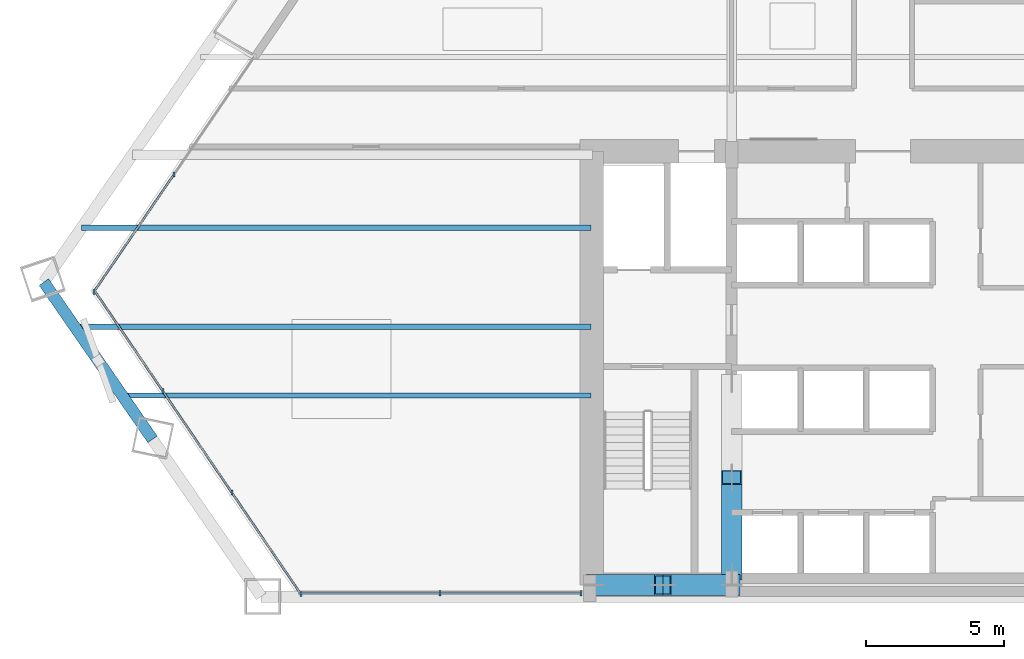
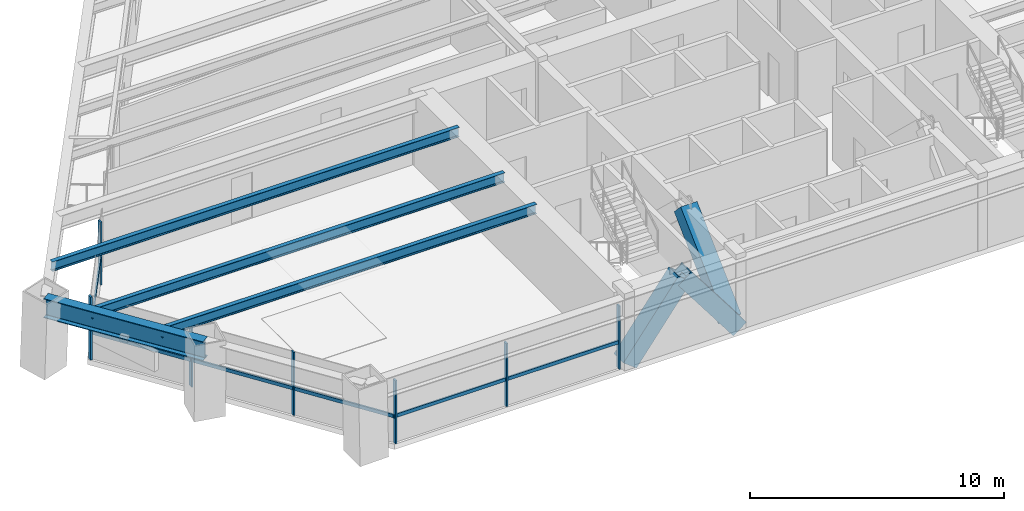
# One storey, part 2 of 14: 16 members, 4 beams, 3 elements without a shape of their own.
"""IFC4 building model written with IfcOpenShell, lengths in metres."""

from ifc_helpers import new_model, si_unit, direction, frame, origin, origin_2d, place, context, subcontext, project, spatial, rectangle, hollow_rectangle, i_section, extrude, source, transform, mapped, material, material_profile, profile_set, type_object, type_shapes, element, aggregate, save


model = new_model("IFC4")

# Units and contexts
model_context = context("Model", 3, precision=1e-05, world=origin(), true_north=direction((0.0, 1.0)))
body_context = subcontext(model_context, "Body", "Model", "MODEL_VIEW")
ifc_project = project(units=[si_unit("LENGTHUNIT", "METRE"), si_unit("AREAUNIT", "SQUARE_METRE"), si_unit("VOLUMEUNIT", "CUBIC_METRE"), si_unit("PLANEANGLEUNIT", "RADIAN"), si_unit("MASSUNIT", "GRAM", prefix="KILO")], contexts=[model_context])

# Site, building, storey
site_placement = place(None, origin())
site = spatial("IfcSite", under=ifc_project, at=site_placement, CompositionType="ELEMENT")
building_placement = place(site_placement, origin())
building = spatial("IfcBuilding", under=site, at=building_placement, Name="Varnakhor Terracotta Tower", CompositionType="ELEMENT")
storey_placement = place(building_placement, frame((0.0, 0.0, 31.199951171875)))
storey = spatial("IfcBuildingStorey", under=building, at=storey_placement, Name="L06", CompositionType="ELEMENT", Elevation=31.199951171875)

# Members
ifc_material_1 = material(Name="Steel S460", Category="steel")
ifc_material_profile_1 = material_profile(ifc_material_1, hollow_rectangle(XDim=0.75, YDim=0.75, WallThickness=0.044921875, at=origin_2d()), Name="HSS750X750X45")
ifc_profile_set_1 = profile_set([ifc_material_profile_1], Name="Steel S460")
member_type_1 = type_object("IfcMemberType", Name="MBR-MEGA-750", PredefinedType="BRACE", material=ifc_profile_set_1)
shared_shape_1 = source(origin(), body_context, "Body", "SweptSolid", [
    extrude(hollow_rectangle(XDim=0.75, YDim=0.75, WallThickness=0.044921875, at=origin_2d()), origin(), (0.0, 0.0, 1.0), 4.14013671875),
])
type_shapes(member_type_1, [shared_shape_1])
for number, where, z_axis, x_axis, name in (
    (1, (-10.5, 0.419921875, 0.0), (0.603852011179, 0.0, 0.797096448741), (0.0, 1.0, 0.0), "L06 Core Coupled Brace CSWA"),
    (2, (-5.5, 0.419921875, 0.0), (-0.603852011179, 0.0, 0.797096448741), (0.0, -1.0, 0.0), "L06 Core Coupled Brace CSWB"),
):
    element("IfcMember", number, at=place(storey_placement, frame(where, z_axis=z_axis, x_axis=x_axis)), inside=storey, type_object=member_type_1, Name=name, PredefinedType="BRACE", context=body_context, shape_type="MappedRepresentation", body=[
        mapped(shared_shape_1, transform((0.0, 0.0, 0.0), scale=1.0)),
    ])
shared_shape_2 = source(origin(), body_context, "Body", "SweptSolid", [
    extrude(hollow_rectangle(XDim=0.75, YDim=0.75, WallThickness=0.044921875, at=origin_2d()), origin(), (0.0, 0.0, 1.0), 4.792236328125),
])
member_1_placement = place(storey_placement, frame((-5.5, 0.85009765625, 0.0), z_axis=(0.0, 0.725110085518, 0.688632967466), x_axis=(-1.0, 0.0, 0.0)))
element("IfcMember", 3, at=member_1_placement, inside=storey, type_object=member_type_1, Name="L06 Core Coupled Brace CWWA", PredefinedType="BRACE", context=body_context, shape_type="MappedRepresentation", body=[
    mapped(shared_shape_2, transform((0.0, 0.0, 0.0), scale=1.0)),
])

# Beams
ifc_material_2 = material(Name="Steel S355", Category="steel")
ifc_material_profile_2 = material_profile(ifc_material_2, i_section(OverallWidth=0.41796875, OverallDepth=0.927001953125, WebThickness=0.01904296875, FlangeThickness=0.031982421875, FilletRadius=0.01806640625, at=origin_2d()), Name="W36X231")
ifc_profile_set_2 = profile_set([ifc_material_profile_2], Name="Steel S355")
beam_type_1 = type_object("IfcBeamType", Name="BM-W36X231", PredefinedType="BEAM", material=ifc_profile_set_2)
shared_shape_3 = source(origin(), body_context, "Body", "SweptSolid", [
    extrude(i_section(OverallWidth=0.41796875, OverallDepth=0.927001953125, WebThickness=0.01904296875, FlangeThickness=0.031982421875, FilletRadius=0.01806640625, at=origin_2d()), origin(), (0.0, 0.0, 1.0), 6.942626953125),
])
beam_1_placement = place(storey_placement, frame((-30.485595703125, 11.42236328125, 2.986572265625), z_axis=(0.568588093197, -0.82262238012, 0.0), x_axis=(0.82262238012, 0.568588093197, 0.0)))
element("IfcBeam", 4, at=beam_1_placement, inside=storey, type_object=beam_type_1, Name="L06 Perimeter Spandrel 7", PredefinedType="BEAM", context=body_context, shape_type="MappedRepresentation", body=[
    mapped(shared_shape_3, transform((0.0, 0.0, 0.0), scale=1.0)),
])
ifc_material_profile_3 = material_profile(ifc_material_2, i_section(OverallWidth=0.19189453125, OverallDepth=0.462890625, WebThickness=0.010498046875, FlangeThickness=0.017578125, FilletRadius=0.01806640625, at=origin_2d()), Name="W18X60")
ifc_profile_set_3 = profile_set([ifc_material_profile_3], Name="Steel S355")
beam_type_2 = type_object("IfcBeamType", Name="JST-W18X60", PredefinedType="JOIST", material=ifc_profile_set_3)
shared_shape_4 = source(origin(), body_context, "Body", "SweptSolid", [
    extrude(i_section(OverallWidth=0.19189453125, OverallDepth=0.462890625, WebThickness=0.010498046875, FlangeThickness=0.017578125, FilletRadius=0.01806640625, at=origin_2d()), origin(), (0.0, 0.0, 1.0), 17.0361328125),
])
beam_2_placement = place(storey_placement, frame((-27.63623046875, 7.300048828125, 3.218505859375), z_axis=(1.0, 0.0, 0.0), x_axis=(0.0, 1.0, 0.0)))
element("IfcBeam", 5, at=beam_2_placement, inside=storey, type_object=beam_type_2, Name="L06 Floor Joist W1", PredefinedType="JOIST", context=body_context, shape_type="MappedRepresentation", body=[
    mapped(shared_shape_4, transform((0.0, 0.0, 0.0), scale=1.0)),
])
shared_shape_5 = source(origin(), body_context, "Body", "SweptSolid", [
    extrude(i_section(OverallWidth=0.19189453125, OverallDepth=0.462890625, WebThickness=0.010498046875, FlangeThickness=0.017578125, FilletRadius=0.01806640625, at=origin_2d()), origin(), (0.0, 0.0, 1.0), 18.76416015625),
])
beam_3_placement = place(storey_placement, frame((-29.3642578125, 9.800048828125, 3.218505859375), z_axis=(1.0, 0.0, 0.0), x_axis=(0.0, 1.0, 0.0)))
element("IfcBeam", 6, at=beam_3_placement, inside=storey, type_object=beam_type_2, Name="L06 Floor Joist W2", PredefinedType="JOIST", context=body_context, shape_type="MappedRepresentation", body=[
    mapped(shared_shape_5, transform((0.0, 0.0, 0.0), scale=1.0)),
])
shared_shape_6 = source(origin(), body_context, "Body", "SweptSolid", [
    extrude(i_section(OverallWidth=0.19189453125, OverallDepth=0.462890625, WebThickness=0.010498046875, FlangeThickness=0.017578125, FilletRadius=0.01806640625, at=origin_2d()), origin(), (0.0, 0.0, 1.0), 18.5107421875),
])
beam_4_placement = place(storey_placement, frame((-29.11083984375, 13.39990234375, 3.218505859375), z_axis=(1.0, 0.0, 0.0), x_axis=(0.0, 1.0, 0.0)))
element("IfcBeam", 7, at=beam_4_placement, inside=storey, type_object=beam_type_2, Name="L06 Floor Joist W3", PredefinedType="JOIST", context=body_context, shape_type="MappedRepresentation", body=[
    mapped(shared_shape_6, transform((0.0, 0.0, 0.0), scale=1.0)),
])

# Curtain wall, members
ifc_material_3 = material(Name="Anodised Aluminium Curtain Wall System", Category="aluminium")
curtain_wall_type = type_object("IfcCurtainWallType", Name="CW-SYS-LOW-OFFICE", PredefinedType="NOTDEFINED", material=ifc_material_3)
curtain_wall_1_placement = place(storey_placement, origin())
curtain_wall_1 = element("IfcCurtainWall", 8, at=curtain_wall_1_placement, inside=storey, type_object=curtain_wall_type, Name="L06 W Facet Curtain Wall 1", PredefinedType="NOTDEFINED")
ifc_material_4 = material(Name="Anodised Aluminium 6063-T6", Category="aluminium")
ifc_material_profile_4 = material_profile(ifc_material_4, rectangle(XDim=0.074951171875, YDim=0.18505859375, at=origin_2d()), Name="ALU MULLION 75x185")
ifc_profile_set_4 = profile_set([ifc_material_profile_4], Name="Anodised Aluminium 6063-T6")
member_type_2 = type_object("IfcMemberType", Name="CWM-02", PredefinedType="MULLION", material=ifc_profile_set_4)
shared_shape_7 = source(origin(), body_context, "Body", "SweptSolid", [
    extrude(rectangle(XDim=0.074951171875, YDim=0.18505859375, at=origin_2d()), origin(), (0.0, 0.0, 1.0), 3.030029296875),
])
type_shapes(member_type_2, [shared_shape_7])
member_2_placement = place(storey_placement, frame((-28.671142578125, 11.064208984375, 0.0), z_axis=(0.0, 0.0, 1.0), x_axis=(1.0, 0.0, 0.0)))
member_2 = element("IfcMember", 9, at=member_2_placement, type_object=member_type_2, Name="L06 W Facet Curtain Wall 1 Mullion 1", PredefinedType="MULLION", context=body_context, shape_type="MappedRepresentation", body=[
    mapped(shared_shape_7, transform((0.0, 0.0, 0.0), scale=1.0)),
])
member_3_placement = place(storey_placement, frame((-25.7607421875, 15.3310546875, 0.0), z_axis=(0.0, 0.0, 1.0), x_axis=(1.0, 0.0, 0.0)))
member_3 = element("IfcMember", 10, at=member_3_placement, type_object=member_type_2, Name="L06 W Facet Curtain Wall 1 Mullion 2", PredefinedType="MULLION", context=body_context, shape_type="MappedRepresentation", body=[
    mapped(shared_shape_7, transform((0.0, 0.0, 0.0), scale=1.0)),
])

curtain_wall_2_placement = place(storey_placement, origin())
curtain_wall_2 = element("IfcCurtainWall", 11, at=curtain_wall_2_placement, inside=storey, type_object=curtain_wall_type, Name="L06 South Wing Curtain Wall SSW", PredefinedType="NOTDEFINED")
member_4_placement = place(storey_placement, frame((-10.969970703125, 0.1201171875, 0.0), z_axis=(0.0, 0.0, 1.0), x_axis=(1.0, 0.0, 0.0)))
member_4 = element("IfcMember", 12, at=member_4_placement, type_object=member_type_2, Name="L06 South Wing Curtain Wall SSW Mullion 1", PredefinedType="MULLION", context=body_context, shape_type="MappedRepresentation", body=[
    mapped(shared_shape_7, transform((0.0, 0.0, 0.0), scale=1.0)),
])
member_5_placement = place(storey_placement, frame((-16.096923828125, 0.1201171875, 0.0), z_axis=(0.0, 0.0, 1.0), x_axis=(1.0, 0.0, 0.0)))
member_5 = element("IfcMember", 13, at=member_5_placement, type_object=member_type_2, Name="L06 South Wing Curtain Wall SSW Mullion 2", PredefinedType="MULLION", context=body_context, shape_type="MappedRepresentation", body=[
    mapped(shared_shape_7, transform((0.0, 0.0, 0.0), scale=1.0)),
])

curtain_wall_3_placement = place(storey_placement, origin())
curtain_wall_3 = element("IfcCurtainWall", 14, at=curtain_wall_3_placement, inside=storey, type_object=curtain_wall_type, Name="L06 Facet Curtain Wall 6", PredefinedType="NOTDEFINED")
member_6_placement = place(storey_placement, frame((-21.151611328125, 0.09228515625, 0.0), z_axis=(0.0, 0.0, 1.0), x_axis=(1.0, 0.0, 0.0)))
member_6 = element("IfcMember", 15, at=member_6_placement, type_object=member_type_2, Name="L06 Facet Curtain Wall 6 Mullion 1", PredefinedType="MULLION", context=body_context, shape_type="MappedRepresentation", body=[
    mapped(shared_shape_7, transform((0.0, 0.0, 0.0), scale=1.0)),
])
member_7_placement = place(storey_placement, frame((-23.658203125, 3.778076171875, 0.0), z_axis=(0.0, 0.0, 1.0), x_axis=(1.0, 0.0, 0.0)))
member_7 = element("IfcMember", 16, at=member_7_placement, type_object=member_type_2, Name="L06 Facet Curtain Wall 6 Mullion 2", PredefinedType="MULLION", context=body_context, shape_type="MappedRepresentation", body=[
    mapped(shared_shape_7, transform((0.0, 0.0, 0.0), scale=1.0)),
])
member_8_placement = place(storey_placement, frame((-26.16455078125, 7.4638671875, 0.0), z_axis=(0.0, 0.0, 1.0), x_axis=(1.0, 0.0, 0.0)))
member_8 = element("IfcMember", 17, at=member_8_placement, type_object=member_type_2, Name="L06 Facet Curtain Wall 6 Mullion 3", PredefinedType="MULLION", context=body_context, shape_type="MappedRepresentation", body=[
    mapped(shared_shape_7, transform((0.0, 0.0, 0.0), scale=1.0)),
])

# Member
ifc_material_profile_5 = material_profile(ifc_material_4, rectangle(XDim=0.074951171875, YDim=0.1650390625, at=origin_2d()), Name="ALU TRANSOM 75x165")
ifc_profile_set_5 = profile_set([ifc_material_profile_5], Name="Anodised Aluminium 6063-T6")
member_type_3 = type_object("IfcMemberType", Name="CWT-02", PredefinedType="USERDEFINED", material=ifc_profile_set_5)
shared_shape_8 = source(origin(), body_context, "Body", "SweptSolid", [
    extrude(rectangle(XDim=0.074951171875, YDim=0.1650390625, at=origin_2d()), origin(), (0.0, 0.0, 1.0), 5.1650390625),
])
member_9_placement = place(storey_placement, frame((-28.671142578125, 11.064208984375, 1.272705078125), z_axis=(0.563493755561, 0.826120322619, 0.0), x_axis=(-0.826120322619, 0.563493755561, 0.0)))
member_9 = element("IfcMember", 18, at=member_9_placement, type_object=member_type_3, Name="L06 W Facet Curtain Wall 1 Transom 1", ObjectType="TRANSOM", PredefinedType="USERDEFINED", context=body_context, shape_type="MappedRepresentation", body=[
    mapped(shared_shape_8, transform((0.0, 0.0, 0.0), scale=1.0)),
])

aggregate(curtain_wall_1, [member_2, member_9, member_3])

shared_shape_9 = source(origin(), body_context, "Body", "SweptSolid", [
    extrude(rectangle(XDim=0.074951171875, YDim=0.1650390625, at=origin_2d()), origin(), (0.0, 0.0, 1.0), 5.126953125),
])
member_10_placement = place(storey_placement, frame((-10.969970703125, 0.1201171875, 1.272705078125), z_axis=(-1.0, 0.0, 0.0), x_axis=(0.0, -1.0, 0.0)))
member_10 = element("IfcMember", 19, at=member_10_placement, type_object=member_type_3, Name="L06 South Wing Curtain Wall SSW Transom 1", ObjectType="TRANSOM", PredefinedType="USERDEFINED", context=body_context, shape_type="MappedRepresentation", body=[
    mapped(shared_shape_9, transform((0.0, 0.0, 0.0), scale=1.0)),
])

shared_shape_10 = source(origin(), body_context, "Body", "SweptSolid", [
    extrude(rectangle(XDim=0.074951171875, YDim=0.1650390625, at=origin_2d()), origin(), (0.0, 0.0, 1.0), 5.127197265625),
])
member_11_placement = place(storey_placement, frame((-16.096923828125, 0.1201171875, 1.272705078125), z_axis=(-1.0, 0.0, 0.0), x_axis=(0.0, -1.0, 0.0)))
member_11 = element("IfcMember", 20, at=member_11_placement, type_object=member_type_3, Name="L06 South Wing Curtain Wall SSW Transom 2", ObjectType="TRANSOM", PredefinedType="USERDEFINED", context=body_context, shape_type="MappedRepresentation", body=[
    mapped(shared_shape_10, transform((0.0, 0.0, 0.0), scale=1.0)),
])

aggregate(curtain_wall_2, [member_4, member_10, member_5, member_11])

shared_shape_11 = source(origin(), body_context, "Body", "SweptSolid", [
    extrude(rectangle(XDim=0.074951171875, YDim=0.1650390625, at=origin_2d()), origin(), (0.0, 0.0, 1.0), 4.457275390625),
])
member_12_placement = place(storey_placement, frame((-21.151611328125, 0.09228515625, 1.272705078125), z_axis=(-0.56234897276, 0.826900013808, 0.0), x_axis=(-0.826900013808, -0.56234897276, 0.0)))
member_12 = element("IfcMember", 21, at=member_12_placement, type_object=member_type_3, Name="L06 Facet Curtain Wall 6 Transom 1", ObjectType="TRANSOM", PredefinedType="USERDEFINED", context=body_context, shape_type="MappedRepresentation", body=[
    mapped(shared_shape_11, transform((0.0, 0.0, 0.0), scale=1.0)),
])

member_13_placement = place(storey_placement, frame((-23.658203125, 3.778076171875, 1.272705078125), z_axis=(-0.562311519605, 0.826925483293, 0.0), x_axis=(-0.826925483293, -0.562311519605, 0.0)))
member_13 = element("IfcMember", 22, at=member_13_placement, type_object=member_type_3, Name="L06 Facet Curtain Wall 6 Transom 2", ObjectType="TRANSOM", PredefinedType="USERDEFINED", context=body_context, shape_type="MappedRepresentation", body=[
    mapped(shared_shape_11, transform((0.0, 0.0, 0.0), scale=1.0)),
])

member_14_placement = place(storey_placement, frame((-26.16455078125, 7.4638671875, 1.272705078125), z_axis=(-0.56234897276, 0.826900013808, 0.0), x_axis=(-0.826900013808, -0.56234897276, 0.0)))
member_14 = element("IfcMember", 23, at=member_14_placement, type_object=member_type_3, Name="L06 Facet Curtain Wall 6 Transom 3", ObjectType="TRANSOM", PredefinedType="USERDEFINED", context=body_context, shape_type="MappedRepresentation", body=[
    mapped(shared_shape_11, transform((0.0, 0.0, 0.0), scale=1.0)),
])

aggregate(curtain_wall_3, [member_6, member_12, member_7, member_13, member_8, member_14])

save(model, "model.ifc")
